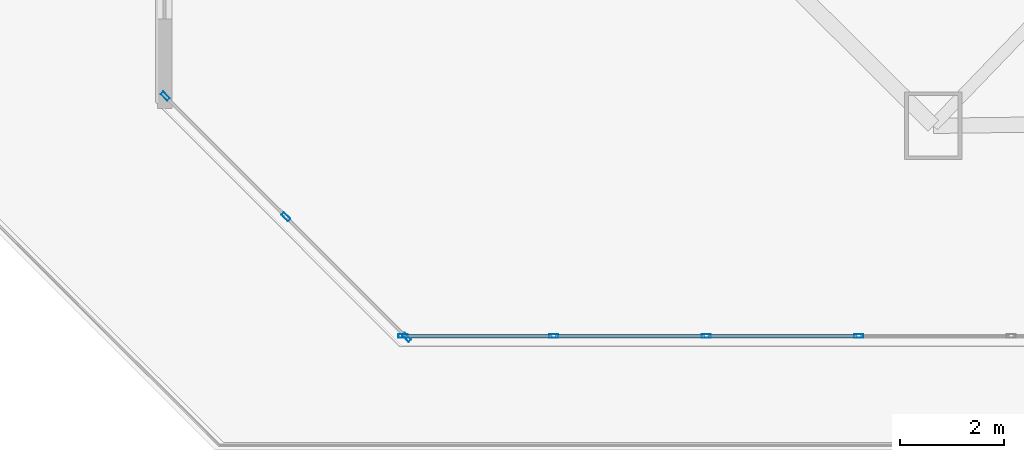
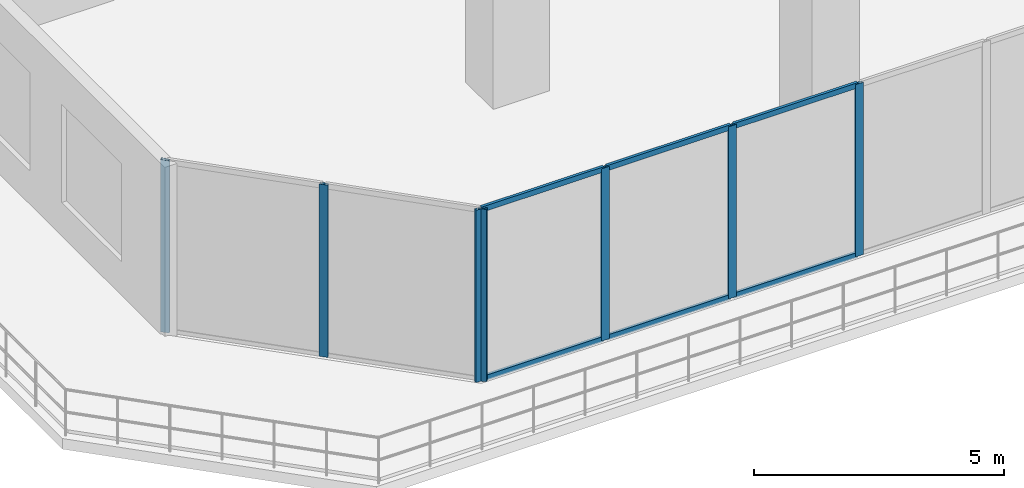
# One storey, part 2 of 31: 13 members, 2 elements without a shape of their own.
"""IFC4 building model written with IfcOpenShell, lengths in metres."""

from ifc_helpers import new_model, si_unit, direction, frame, origin, origin_2d, place, context, subcontext, project, spatial, hollow_rectangle, extrude, material, layer, layer_set, material_profile, profile_set, type_object, element, aggregate, save


model = new_model("IFC4")

# Units and contexts
model_context = context("Model", 3, precision=1e-05, world=origin(), true_north=direction((0.0, 1.0)))
body_context = subcontext(model_context, "Body", "Model", "MODEL_VIEW")
ifc_project = project(units=[si_unit("LENGTHUNIT", "METRE"), si_unit("AREAUNIT", "SQUARE_METRE"), si_unit("VOLUMEUNIT", "CUBIC_METRE"), si_unit("PLANEANGLEUNIT", "RADIAN"), si_unit("MASSUNIT", "GRAM", prefix="KILO")], contexts=[model_context])

# Site, building, storey
site_placement = place(None, origin())
site = spatial("IfcSite", under=ifc_project, at=site_placement, CompositionType="ELEMENT")
building_placement = place(site_placement, origin())
building = spatial("IfcBuilding", under=site, at=building_placement, Name="Caelvoria Tower", CompositionType="ELEMENT")
storey_placement = place(building_placement, frame((0.0, 0.0, 9.5)))
storey = spatial("IfcBuildingStorey", under=building, at=storey_placement, Name="L02", CompositionType="ELEMENT", Elevation=9.5)

# Curtain wall, members
ifc_material_1 = material(Name="Anodised Bronze Aluminium and Low-E Glass", Category="aluminium")
ifc_layer = layer(ifc_material_1, 0.199951171875, Name="Anodised Bronze Aluminium and Low-E Glass")
ifc_layer_set = layer_set([ifc_layer], Name="CW System 1 Podium Arcade Unitised Glazing - Anodised Bronze Aluminium and Low-E Glass")
curtain_wall_type = type_object("IfcCurtainWallType", Name="CW System 1 Podium Arcade Unitised Glazing", PredefinedType="NOTDEFINED", material=ifc_layer_set)
curtain_wall_1_placement = place(storey_placement, origin())
curtain_wall_1 = element("IfcCurtainWall", 1, at=curtain_wall_1_placement, inside=storey, type_object=curtain_wall_type, Name="CW-01 Curtain Wall L02-E0", PredefinedType="NOTDEFINED")
ifc_material_2 = material(Name="Anodised Bronze Architectural Aluminium", Category="aluminium")
ifc_material_profile_1 = material_profile(ifc_material_2, hollow_rectangle(XDim=0.070068359375, YDim=0.179931640625, WallThickness=0.00390625, at=origin_2d()), Name="Anodised Bronze Architectural Aluminium")
ifc_profile_set_1 = profile_set([ifc_material_profile_1], Name="CW_MULL_70X180 - Anodised Bronze Architectural Aluminium")
member_type_1 = type_object("IfcMemberType", Name="Curtain Wall Mullion 70x180 Bronze Aluminium", PredefinedType="MULLION", material=ifc_profile_set_1)
member_1_placement = place(storey_placement, frame((13.735107421875, 6.3798828125, 0.0), z_axis=(0.0, 0.0, 1.0), x_axis=(0.0, 1.0, 0.0)))
member_1 = element("IfcMember", 2, at=member_1_placement, type_object=member_type_1, Name="CW-01 mullion 1", PredefinedType="MULLION", context=body_context, shape_type="SweptSolid", body=[
    extrude(hollow_rectangle(XDim=0.070068359375, YDim=0.179931640625, WallThickness=0.00390625, at=origin_2d()), origin(), (0.0, 0.0, 1.0), 4.2099609375),
])
member_2_placement = place(storey_placement, frame((16.636474609375, 6.3798828125, 0.0), z_axis=(0.0, 0.0, 1.0), x_axis=(0.0, 1.0, 0.0)))
member_2 = element("IfcMember", 3, at=member_2_placement, type_object=member_type_1, Name="CW-01 mullion 2", PredefinedType="MULLION", context=body_context, shape_type="SweptSolid", body=[
    extrude(hollow_rectangle(XDim=0.070068359375, YDim=0.179931640625, WallThickness=0.00390625, at=origin_2d()), origin(), (0.0, 0.0, 1.0), 4.2099609375),
])
member_3_placement = place(storey_placement, frame((19.57275390625, 6.3798828125, 0.0), z_axis=(0.0, 0.0, 1.0), x_axis=(0.0, 1.0, 0.0)))
member_3 = element("IfcMember", 4, at=member_3_placement, type_object=member_type_1, Name="CW-01 mullion 3", PredefinedType="MULLION", context=body_context, shape_type="SweptSolid", body=[
    extrude(hollow_rectangle(XDim=0.070068359375, YDim=0.179931640625, WallThickness=0.00390625, at=origin_2d()), origin(), (0.0, 0.0, 1.0), 4.2099609375),
])
member_4_placement = place(storey_placement, frame((22.509033203125, 6.3798828125, 0.0), z_axis=(0.0, 0.0, 1.0), x_axis=(0.0, 1.0, 0.0)))
member_4 = element("IfcMember", 5, at=member_4_placement, type_object=member_type_1, Name="CW-01 mullion 4", PredefinedType="MULLION", context=body_context, shape_type="SweptSolid", body=[
    extrude(hollow_rectangle(XDim=0.070068359375, YDim=0.179931640625, WallThickness=0.00390625, at=origin_2d()), origin(), (0.0, 0.0, 1.0), 4.2099609375),
])

curtain_wall_2_placement = place(storey_placement, origin())
curtain_wall_2 = element("IfcCurtainWall", 6, at=curtain_wall_2_placement, inside=storey, type_object=curtain_wall_type, Name="CW-01 Curtain Wall L02-E7", PredefinedType="NOTDEFINED")
member_5_placement = place(storey_placement, frame((9.152099609375, 11.00244140625, 0.0), z_axis=(0.0, 0.0, 1.0), x_axis=(0.707106781187, 0.707106781187, 0.0)))
member_5 = element("IfcMember", 7, at=member_5_placement, type_object=member_type_1, Name="CW-01 mullion 1", PredefinedType="MULLION", context=body_context, shape_type="SweptSolid", body=[
    extrude(hollow_rectangle(XDim=0.070068359375, YDim=0.179931640625, WallThickness=0.00390625, at=origin_2d()), origin(), (0.0, 0.0, 1.0), 4.2099609375),
])
member_6_placement = place(storey_placement, frame((11.477294921875, 8.67724609375, 0.0), z_axis=(0.0, 0.0, 1.0), x_axis=(0.707106781187, 0.707106781187, 0.0)))
member_6 = element("IfcMember", 8, at=member_6_placement, type_object=member_type_1, Name="CW-01 mullion 2", PredefinedType="MULLION", context=body_context, shape_type="SweptSolid", body=[
    extrude(hollow_rectangle(XDim=0.070068359375, YDim=0.179931640625, WallThickness=0.00390625, at=origin_2d()), origin(), (0.0, 0.0, 1.0), 4.2099609375),
])
member_7_placement = place(storey_placement, frame((13.802490234375, 6.35205078125, 0.0), z_axis=(0.0, 0.0, 1.0), x_axis=(0.707106781187, 0.707106781187, 0.0)))
member_7 = element("IfcMember", 9, at=member_7_placement, type_object=member_type_1, Name="CW-01 mullion 3", PredefinedType="MULLION", context=body_context, shape_type="SweptSolid", body=[
    extrude(hollow_rectangle(XDim=0.070068359375, YDim=0.179931640625, WallThickness=0.00390625, at=origin_2d()), origin(), (0.0, 0.0, 1.0), 4.2099609375),
])
aggregate(curtain_wall_2, [member_5, member_6, member_7])

# Member
ifc_material_profile_2 = material_profile(ifc_material_2, hollow_rectangle(XDim=0.06494140625, YDim=0.1298828125, WallThickness=0.00341796875, at=origin_2d()), Name="Anodised Bronze Architectural Aluminium")
ifc_profile_set_2 = profile_set([ifc_material_profile_2], Name="CW_TRAN_65X130 - Anodised Bronze Architectural Aluminium")
member_type_2 = type_object("IfcMemberType", Name="Curtain Wall Transom 65x130 Bronze Aluminium", PredefinedType="USERDEFINED", material=ifc_profile_set_2)
member_8_placement = place(storey_placement, frame((13.77001953125, 6.3798828125, 0.032470703125), z_axis=(1.0, 0.0, 0.0), x_axis=(0.0, 1.0, 0.0)))
member_8 = element("IfcMember", 10, at=member_8_placement, type_object=member_type_2, Name="CW-01 transom 1.1", ObjectType="TRANSOM", PredefinedType="USERDEFINED", context=body_context, shape_type="SweptSolid", body=[
    extrude(hollow_rectangle(XDim=0.06494140625, YDim=0.1298828125, WallThickness=0.00341796875, at=origin_2d()), origin(), (0.0, 0.0, 1.0), 2.831298828125),
])

member_9_placement = place(storey_placement, frame((13.77001953125, 6.3798828125, 4.177490234375), z_axis=(1.0, 0.0, 0.0), x_axis=(0.0, 1.0, 0.0)))
member_9 = element("IfcMember", 11, at=member_9_placement, type_object=member_type_2, Name="CW-01 transom 1.2", ObjectType="TRANSOM", PredefinedType="USERDEFINED", context=body_context, shape_type="SweptSolid", body=[
    extrude(hollow_rectangle(XDim=0.06494140625, YDim=0.1298828125, WallThickness=0.00341796875, at=origin_2d()), origin(), (0.0, 0.0, 1.0), 2.831298828125),
])

member_10_placement = place(storey_placement, frame((16.67138671875, 6.3798828125, 0.032470703125), z_axis=(1.0, 0.0, 0.0), x_axis=(0.0, 1.0, 0.0)))
member_10 = element("IfcMember", 12, at=member_10_placement, type_object=member_type_2, Name="CW-01 transom 2.1", ObjectType="TRANSOM", PredefinedType="USERDEFINED", context=body_context, shape_type="SweptSolid", body=[
    extrude(hollow_rectangle(XDim=0.06494140625, YDim=0.1298828125, WallThickness=0.00341796875, at=origin_2d()), origin(), (0.0, 0.0, 1.0), 2.866455078125),
])

member_11_placement = place(storey_placement, frame((16.67138671875, 6.3798828125, 4.177490234375), z_axis=(1.0, 0.0, 0.0), x_axis=(0.0, 1.0, 0.0)))
member_11 = element("IfcMember", 13, at=member_11_placement, type_object=member_type_2, Name="CW-01 transom 2.2", ObjectType="TRANSOM", PredefinedType="USERDEFINED", context=body_context, shape_type="SweptSolid", body=[
    extrude(hollow_rectangle(XDim=0.06494140625, YDim=0.1298828125, WallThickness=0.00341796875, at=origin_2d()), origin(), (0.0, 0.0, 1.0), 2.866455078125),
])

member_12_placement = place(storey_placement, frame((19.607666015625, 6.3798828125, 0.032470703125), z_axis=(1.0, 0.0, 0.0), x_axis=(0.0, 1.0, 0.0)))
member_12 = element("IfcMember", 14, at=member_12_placement, type_object=member_type_2, Name="CW-01 transom 3.1", ObjectType="TRANSOM", PredefinedType="USERDEFINED", context=body_context, shape_type="SweptSolid", body=[
    extrude(hollow_rectangle(XDim=0.06494140625, YDim=0.1298828125, WallThickness=0.00341796875, at=origin_2d()), origin(), (0.0, 0.0, 1.0), 2.866455078125),
])

member_13_placement = place(storey_placement, frame((19.607666015625, 6.3798828125, 4.177490234375), z_axis=(1.0, 0.0, 0.0), x_axis=(0.0, 1.0, 0.0)))
member_13 = element("IfcMember", 15, at=member_13_placement, type_object=member_type_2, Name="CW-01 transom 3.2", ObjectType="TRANSOM", PredefinedType="USERDEFINED", context=body_context, shape_type="SweptSolid", body=[
    extrude(hollow_rectangle(XDim=0.06494140625, YDim=0.1298828125, WallThickness=0.00341796875, at=origin_2d()), origin(), (0.0, 0.0, 1.0), 2.866455078125),
])

aggregate(curtain_wall_1, [member_1, member_2, member_3, member_4, member_8, member_9, member_10, member_11, member_12, member_13])

save(model, "model.ifc")
